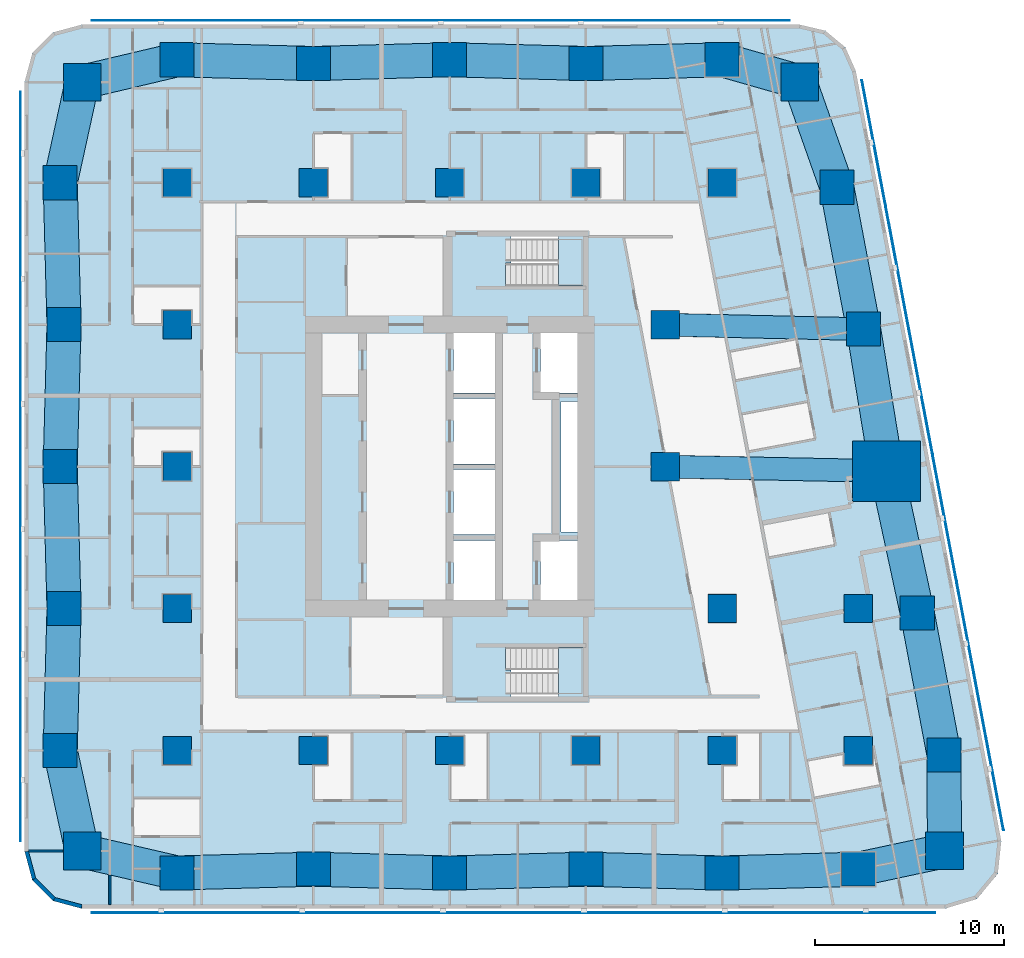
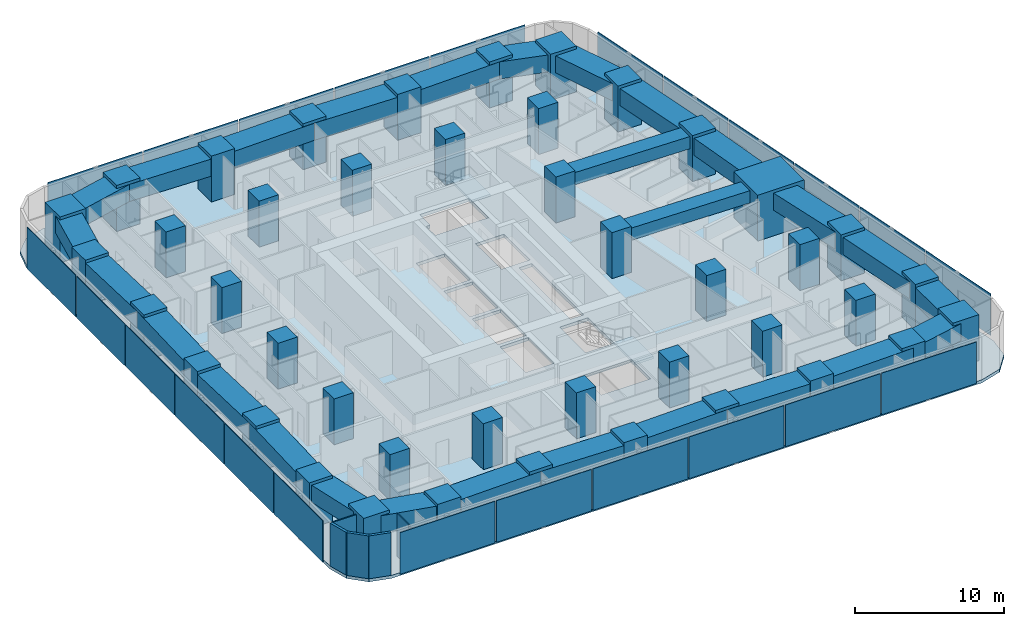
# One storey, part 1 of 15: 43 columns, 27 beams, 23 plates, 5 walls, 3 slabs, 2 elements without a shape of their own.
"""IFC4 building model written with IfcOpenShell, lengths in metres."""

from ifc_helpers import new_model, si_unit, direction, frame, frame_2d, origin, origin_2d, place, context, subcontext, project, spatial, polyline, rectangle, outline, extrude, material, layer, layer_set, material_profile, profile_set, type_object, element, aggregate, save


model = new_model("IFC4")

# Units and contexts
model_context = context("Model", 3, precision=1e-05, world=origin(), true_north=direction((0.0, 1.0)))
body_context = subcontext(model_context, "Body", "Model", "MODEL_VIEW")
ifc_project = project(units=[si_unit("LENGTHUNIT", "METRE"), si_unit("AREAUNIT", "SQUARE_METRE"), si_unit("VOLUMEUNIT", "CUBIC_METRE"), si_unit("PLANEANGLEUNIT", "RADIAN"), si_unit("MASSUNIT", "GRAM", prefix="KILO")], contexts=[model_context])

# Site, building, storey
site_placement = place(None, origin())
site = spatial("IfcSite", under=ifc_project, at=site_placement, CompositionType="ELEMENT")
building_placement = place(site_placement, origin())
building = spatial("IfcBuilding", under=site, at=building_placement, Name="Sheger Commons Tower", CompositionType="ELEMENT")
storey_placement = place(building_placement, frame((0.0, 0.0, 162.050048828125)))
storey = spatial("IfcBuildingStorey", under=building, at=storey_placement, Name="L41", CompositionType="ELEMENT", Elevation=162.050048828125)

# Columns
ifc_material_1 = material(Name="Concrete C50/60", Category="concrete")
ifc_material_profile_1 = material_profile(ifc_material_1, rectangle(XDim=3.60009765625, YDim=3.199951171875, at=origin_2d()), Name="RC 3600x3200")
ifc_profile_set_1 = profile_set([ifc_material_profile_1], Name="Concrete C50/60")
column_type_1 = type_object("IfcColumnType", Name="COLUMN PIER RC 3600x3200", PredefinedType="COLUMN", material=ifc_profile_set_1)
column_placement = place(storey_placement, frame((44.697021484375, 22.262939453125, 0.0), z_axis=(0.0, 0.0, 1.0), x_axis=(1.0, 0.0, 0.0)))
element("IfcColumn", 1, at=column_placement, inside=storey, type_object=column_type_1, Name="Pier 7/D+E/D L41", PredefinedType="COLUMN", context=body_context, shape_type="SweptSolid", body=[
    extrude(rectangle(XDim=3.60009765625, YDim=3.199951171875, at=origin_2d()), origin(), (0.0, 0.0, 1.0), 3.75),
])
ifc_material_2 = material(Name="Concrete C50/60", Category="concrete")
ifc_material_profile_2 = material_profile(ifc_material_2, rectangle(XDim=1.5, YDim=1.5, at=origin_2d()), Name="RC 1500x1500")
ifc_profile_set_2 = profile_set([ifc_material_profile_2], Name="Concrete C50/60")
column_type_2 = type_object("IfcColumnType", Name="COLUMN RC 1500x1500", PredefinedType="COLUMN", material=ifc_profile_set_2)
for number, where, z_axis, x_axis, name in (
    (2, (7.199951171875, 7.5, 0.0), (0.0, 0.0, 1.0), (1.0, 0.0, 0.0), "Column 2/B L41"),
    (3, (14.39990234375, 7.5, 0.0), (0.0, 0.0, 1.0), (1.0, 0.0, 0.0), "Column 3/B L41"),
    (4, (21.60009765625, 7.5, 0.0), (0.0, 0.0, 1.0), (1.0, 0.0, 0.0), "Column 4/B L41"),
    (5, (28.800048828125, 7.5, 0.0), (0.0, 0.0, 1.0), (1.0, 0.0, 0.0), "Column 5/B L41"),
    (6, (36.0, 7.5, 0.0), (0.0, 0.0, 1.0), (1.0, 0.0, 0.0), "Column 6/B L41"),
    (7, (43.199951171875, 7.5, 0.0), (0.0, 0.0, 1.0), (1.0, 0.0, 0.0), "Column 7/B L41"),
    (8, (7.199951171875, 15.0, 0.0), (0.0, 0.0, 1.0), (1.0, 0.0, 0.0), "Column 2/C L41"),
    (9, (36.0, 15.0, 0.0), (0.0, 0.0, 1.0), (1.0, 0.0, 0.0), "Column 6/C L41"),
    (10, (43.199951171875, 15.0, 0.0), (0.0, 0.0, 1.0), (1.0, 0.0, 0.0), "Column 7/C L41"),
    (11, (7.199951171875, 22.5, 0.0), (0.0, 0.0, 1.0), (1.0, 0.0, 0.0), "Column 2/D L41"),
    (12, (33.0, 22.5, 0.0), (0.0, 0.0, 1.0), (1.0, 0.0, 0.0), "Column 6-3000/D L41"),
    (13, (7.199951171875, 30.0, 0.0), (0.0, 0.0, 1.0), (1.0, 0.0, 0.0), "Column 2/E L41"),
    (14, (33.0, 30.0, 0.0), (0.0, 0.0, 1.0), (1.0, 0.0, 0.0), "Column 6-3000/E L41"),
    (15, (7.199951171875, 37.5, 0.0), (0.0, 0.0, 1.0), (1.0, 0.0, 0.0), "Column 2/F L41"),
    (16, (14.39990234375, 37.5, 0.0), (0.0, 0.0, 1.0), (1.0, 0.0, 0.0), "Column 3/F L41"),
    (17, (21.60009765625, 37.5, 0.0), (0.0, 0.0, 1.0), (1.0, 0.0, 0.0), "Column 4/F L41"),
    (18, (28.800048828125, 37.5, 0.0), (0.0, 0.0, 1.0), (1.0, 0.0, 0.0), "Column 5/F L41"),
    (19, (36.0, 37.5, 0.0), (0.0, 0.0, 1.0), (1.0, 0.0, 0.0), "Column 6/F L41"),
):
    element("IfcColumn", number, at=place(storey_placement, frame(where, z_axis=z_axis, x_axis=x_axis)), inside=storey, type_object=column_type_2, Name=name, PredefinedType="COLUMN", context=body_context, shape_type="SweptSolid", body=[
        extrude(rectangle(XDim=1.5, YDim=1.5, at=origin_2d()), origin(), (0.0, 0.0, 1.0), 3.75),
    ])
ifc_material_3 = material(Name="Concrete C50/60", Category="concrete")
ifc_material_profile_3 = material_profile(ifc_material_3, rectangle(XDim=1.800048828125, YDim=1.800048828125, at=origin_2d()), Name="RC 1800x1800")
ifc_profile_set_3 = profile_set([ifc_material_profile_3], Name="Concrete C50/60")
column_type_3 = type_object("IfcColumnType", Name="COLUMN RC 1800x1800", PredefinedType="COLUMN", material=ifc_profile_set_3)
for number, where, z_axis, x_axis, name in (
    (20, (7.199951171875, 1.02490234375, 0.0), (0.0, 0.0, 1.0), (1.0, 0.0, 0.0), "Column 2/A L41"),
    (21, (14.39990234375, 1.22509765625, 0.0), (0.0, 0.0, 1.0), (1.0, 0.0, 0.0), "Column 3/A L41"),
    (22, (21.60009765625, 1.02490234375, 0.0), (0.0, 0.0, 1.0), (1.0, 0.0, 0.0), "Column 4/A L41"),
    (23, (28.800048828125, 1.22509765625, 0.0), (0.0, 0.0, 1.0), (1.0, 0.0, 0.0), "Column 5/A L41"),
    (24, (36.0, 1.02490234375, 0.0), (0.0, 0.0, 1.0), (1.0, 0.0, 0.0), "Column 6/A L41"),
    (25, (43.199951171875, 1.22509765625, 0.0), (0.0, 0.0, 1.0), (1.0, 0.0, 0.0), "Column 7/A L41"),
    (26, (1.02490234375, 7.5, 0.0), (0.0, 0.0, 1.0), (1.0, 0.0, 0.0), "Column 1/B L41"),
    (27, (47.72998046875, 7.262939453125, 0.0), (0.0, 0.0, 1.0), (1.0, 0.0, 0.0), "Column E/B L41"),
    (28, (1.22509765625, 15.0, 0.0), (0.0, 0.0, 1.0), (1.0, 0.0, 0.0), "Column 1/C L41"),
    (29, (46.31396484375, 14.762939453125, 0.0), (0.0, 0.0, 1.0), (1.0, 0.0, 0.0), "Column E/C L41"),
    (30, (1.02490234375, 22.5, 0.0), (0.0, 0.0, 1.0), (1.0, 0.0, 0.0), "Column 1/D L41"),
    (31, (1.22509765625, 30.0, 0.0), (0.0, 0.0, 1.0), (1.0, 0.0, 0.0), "Column 1/E L41"),
    (32, (43.47998046875, 29.762939453125, 0.0), (0.0, 0.0, 1.0), (1.0, 0.0, 0.0), "Column E/E L41"),
    (33, (1.02490234375, 37.5, 0.0), (0.0, 0.0, 1.0), (1.0, 0.0, 0.0), "Column 1/F L41"),
    (34, (42.06396484375, 37.262939453125, 0.0), (0.0, 0.0, 1.0), (1.0, 0.0, 0.0), "Column E/F L41"),
    (35, (7.199951171875, 44.0, 0.0), (0.0, 0.0, 1.0), (1.0, 0.0, 0.0), "Column 2/G L41"),
    (36, (14.39990234375, 43.800048828125, 0.0), (0.0, 0.0, 1.0), (1.0, 0.0, 0.0), "Column 3/G L41"),
    (37, (21.60009765625, 44.0, 0.0), (0.0, 0.0, 1.0), (1.0, 0.0, 0.0), "Column 4/G L41"),
    (38, (28.800048828125, 43.800048828125, 0.0), (0.0, 0.0, 1.0), (1.0, 0.0, 0.0), "Column 5/G L41"),
    (39, (36.0, 44.0, 0.0), (0.0, 0.0, 1.0), (1.0, 0.0, 0.0), "Column 6/G L41"),
):
    element("IfcColumn", number, at=place(storey_placement, frame(where, z_axis=z_axis, x_axis=x_axis)), inside=storey, type_object=column_type_3, Name=name, PredefinedType="COLUMN", context=body_context, shape_type="SweptSolid", body=[
        extrude(rectangle(XDim=1.800048828125, YDim=1.800048828125, at=origin_2d()), origin(), (0.0, 0.0, 1.0), 3.75),
    ])
ifc_material_4 = material(Name="Concrete C50/60", Category="concrete")
ifc_material_profile_4 = material_profile(ifc_material_4, rectangle(XDim=2.0, YDim=2.0, at=origin_2d()), Name="RC 2000x2000")
ifc_profile_set_4 = profile_set([ifc_material_profile_4], Name="Concrete C50/60")
column_type_4 = type_object("IfcColumnType", Name="COLUMN RC 2000x2000", PredefinedType="COLUMN", material=ifc_profile_set_4)
for number, where, z_axis, x_axis, name in (
    (40, (2.18603515625, 2.18603515625, 0.0), (0.0, 0.0, 1.0), (1.0, 0.0, 0.0), "Column 0.630,0.630 L41"),
    (41, (47.748046875, 2.197021484375, 0.0), (0.0, 0.0, 1.0), (1.0, 0.0, 0.0), "Column 49.461,0.778 L41"),
    (42, (2.18603515625, 42.81396484375, 0.0), (0.0, 0.0, 1.0), (1.0, 0.0, 0.0), "Column 0.630,44.370 L41"),
    (43, (40.10205078125, 42.830078125, 0.0), (0.0, 0.0, 1.0), (1.0, 0.0, 0.0), "Column 41.490,44.505 L41"),
):
    element("IfcColumn", number, at=place(storey_placement, frame(where, z_axis=z_axis, x_axis=x_axis)), inside=storey, type_object=column_type_4, Name=name, PredefinedType="COLUMN", context=body_context, shape_type="SweptSolid", body=[
        extrude(rectangle(XDim=2.0, YDim=2.0, at=origin_2d()), origin(), (0.0, 0.0, 1.0), 3.75),
    ])

# Beams
ifc_material_5 = material(Name="Concrete C50/60", Category="concrete")
ifc_material_profile_5 = material_profile(ifc_material_5, rectangle(XDim=1.199951171875, YDim=1.0, at=origin_2d()), Name="RC 1200x1000")
ifc_profile_set_5 = profile_set([ifc_material_profile_5], Name="Concrete C50/60")
beam_type_1 = type_object("IfcBeamType", Name="BEAM RC 1200x1000", PredefinedType="BEAM", material=ifc_profile_set_5)
beam_1_placement = place(storey_placement, frame((33.0, 22.5, 3.0), z_axis=(0.999794692776, -0.02026258368, 0.0), x_axis=(0.02026258368, 0.999794692776, 0.0)))
element("IfcBeam", 44, at=beam_1_placement, inside=storey, type_object=beam_type_1, Name="Beam 6-3000/D-7/D under L42", PredefinedType="BEAM", context=body_context, shape_type="SweptSolid", body=[
    extrude(rectangle(XDim=1.199951171875, YDim=1.0, at=origin_2d()), origin(), (0.0, 0.0, 1.0), 11.699462890625),
])
beam_2_placement = place(storey_placement, frame((33.0, 30.0, 3.0), z_axis=(0.999744258625, -0.022614538395, 0.0), x_axis=(0.022614538395, 0.999744258625, 0.0)))
element("IfcBeam", 45, at=beam_2_placement, inside=storey, type_object=beam_type_1, Name="Beam 6-3000/E-E/E under L42", PredefinedType="BEAM", context=body_context, shape_type="SweptSolid", body=[
    extrude(rectangle(XDim=1.199951171875, YDim=1.0, at=origin_2d()), origin(), (0.0, 0.0, 1.0), 10.482666015625),
])
ifc_material_6 = material(Name="Concrete C50/60", Category="concrete")
ifc_material_profile_6 = material_profile(ifc_material_6, rectangle(XDim=1.800048828125, YDim=1.39990234375, at=origin_2d()), Name="RC 1800x1400")
ifc_profile_set_6 = profile_set([ifc_material_profile_6], Name="Concrete C50/60")
beam_type_2 = type_object("IfcBeamType", Name="SPANDREL RC 1800x1400", PredefinedType="SPANDREL", material=ifc_profile_set_6)
beam_3_placement = place(storey_placement, frame((2.18603515625, 2.18603515625, 2.800048828125), z_axis=(0.974217413499, -0.225611239159, 0.0), x_axis=(0.225611239159, 0.974217413499, 0.0)))
element("IfcBeam", 46, at=beam_3_placement, inside=storey, type_object=beam_type_2, Name="Beam 0.630,0.630-2/A under L42", PredefinedType="SPANDREL", context=body_context, shape_type="SweptSolid", body=[
    extrude(rectangle(XDim=1.800048828125, YDim=1.39990234375, at=origin_2d()), origin(), (0.0, 0.0, 1.0), 5.146728515625),
])
beam_4_placement = place(storey_placement, frame((7.199951171875, 1.02490234375, 2.800048828125), z_axis=(0.9996136624, 0.027794350926, 0.0), x_axis=(-0.027794350926, 0.9996136624, 0.0)))
element("IfcBeam", 47, at=beam_4_placement, inside=storey, type_object=beam_type_2, Name="Beam 2/A-3/A under L42", PredefinedType="SPANDREL", context=body_context, shape_type="SweptSolid", body=[
    extrude(rectangle(XDim=1.800048828125, YDim=1.39990234375, at=origin_2d()), origin(), (0.0, 0.0, 1.0), 7.20263671875),
])
beam_5_placement = place(storey_placement, frame((14.39990234375, 1.22509765625, 2.800048828125), z_axis=(0.999613688584, -0.027793409217, 0.0), x_axis=(0.027793409217, 0.999613688584, 0.0)))
element("IfcBeam", 48, at=beam_5_placement, inside=storey, type_object=beam_type_2, Name="Beam 3/A-4/A under L42", PredefinedType="SPANDREL", context=body_context, shape_type="SweptSolid", body=[
    extrude(rectangle(XDim=1.800048828125, YDim=1.39990234375, at=origin_2d()), origin(), (0.0, 0.0, 1.0), 7.202880859375),
])
for number, where, z_axis, x_axis, name in (
    (49, (21.60009765625, 1.02490234375, 2.800048828125), (0.9996136624, 0.027794350926, 0.0), (-0.027794350926, 0.9996136624, 0.0), "Beam 4/A-5/A under L42"),
    (50, (28.800048828125, 1.22509765625, 2.800048828125), (0.9996136624, -0.027794350926, 0.0), (0.027794350926, 0.9996136624, 0.0), "Beam 5/A-6/A under L42"),
    (51, (36.0, 1.02490234375, 2.800048828125), (0.9996136624, 0.027794350926, 0.0), (-0.027794350926, 0.9996136624, 0.0), "Beam 6/A-7/A under L42"),
):
    element("IfcBeam", number, at=place(storey_placement, frame(where, z_axis=z_axis, x_axis=x_axis)), inside=storey, type_object=beam_type_2, Name=name, PredefinedType="SPANDREL", context=body_context, shape_type="SweptSolid", body=[
        extrude(rectangle(XDim=1.800048828125, YDim=1.39990234375, at=origin_2d()), origin(), (0.0, 0.0, 1.0), 7.20263671875),
    ])
beam_6_placement = place(storey_placement, frame((43.199951171875, 1.22509765625, 2.800048828125), z_axis=(0.977919796671, 0.208980552394, 0.0), x_axis=(-0.208980552394, 0.977919796671, 0.0)))
element("IfcBeam", 52, at=beam_6_placement, inside=storey, type_object=beam_type_2, Name="Beam 7/A-49.461,0.778 under L42", PredefinedType="SPANDREL", context=body_context, shape_type="SweptSolid", body=[
    extrude(rectangle(XDim=1.800048828125, YDim=1.39990234375, at=origin_2d()), origin(), (0.0, 0.0, 1.0), 4.65087890625),
])
beam_7_placement = place(storey_placement, frame((47.748046875, 2.197021484375, 2.800048828125), z_axis=(-0.003566242382, 0.999993640937, 0.0), x_axis=(-0.999993640937, -0.003566242382, 0.0)))
element("IfcBeam", 53, at=beam_7_placement, inside=storey, type_object=beam_type_2, Name="Beam 49.461,0.778-E/B under L42", PredefinedType="SPANDREL", context=body_context, shape_type="SweptSolid", body=[
    extrude(rectangle(XDim=1.800048828125, YDim=1.39990234375, at=origin_2d()), origin(), (0.0, 0.0, 1.0), 5.06591796875),
])
beam_8_placement = place(storey_placement, frame((47.72998046875, 7.262939453125, 2.800048828125), z_axis=(-0.18552441405, 0.982639655108, 0.0), x_axis=(-0.982639655108, -0.18552441405, 0.0)))
element("IfcBeam", 54, at=beam_8_placement, inside=storey, type_object=beam_type_2, Name="Beam E/B-E/C under L42", PredefinedType="SPANDREL", context=body_context, shape_type="SweptSolid", body=[
    extrude(rectangle(XDim=1.800048828125, YDim=1.39990234375, at=origin_2d()), origin(), (0.0, 0.0, 1.0), 7.632568359375),
])
beam_9_placement = place(storey_placement, frame((46.31396484375, 14.762939453125, 2.800048828125), z_axis=(-0.210750229323, 0.977539943348, 0.0), x_axis=(-0.977539943348, -0.210750229323, 0.0)))
element("IfcBeam", 55, at=beam_9_placement, inside=storey, type_object=beam_type_2, Name="Beam E/C-E/D under L42", PredefinedType="SPANDREL", context=body_context, shape_type="SweptSolid", body=[
    extrude(rectangle(XDim=1.800048828125, YDim=1.39990234375, at=origin_2d()), origin(), (0.0, 0.0, 1.0), 7.67236328125),
])
beam_10_placement = place(storey_placement, frame((44.697021484375, 22.262939453125, 2.800048828125), z_axis=(-0.160176929512, 0.987088319884, 0.0), x_axis=(-0.987088319884, -0.160176929512, 0.0)))
element("IfcBeam", 56, at=beam_10_placement, inside=storey, type_object=beam_type_2, Name="Beam E/D-E/E under L42", PredefinedType="SPANDREL", context=body_context, shape_type="SweptSolid", body=[
    extrude(rectangle(XDim=1.800048828125, YDim=1.39990234375, at=origin_2d()), origin(), (0.0, 0.0, 1.0), 7.59814453125),
])
beam_11_placement = place(storey_placement, frame((43.47998046875, 29.762939453125, 2.800048828125), z_axis=(-0.18552441405, 0.982639655108, 0.0), x_axis=(-0.982639655108, -0.18552441405, 0.0)))
element("IfcBeam", 57, at=beam_11_placement, inside=storey, type_object=beam_type_2, Name="Beam E/E-E/F under L42", PredefinedType="SPANDREL", context=body_context, shape_type="SweptSolid", body=[
    extrude(rectangle(XDim=1.800048828125, YDim=1.39990234375, at=origin_2d()), origin(), (0.0, 0.0, 1.0), 7.632568359375),
])
beam_12_placement = place(storey_placement, frame((42.06396484375, 37.262939453125, 2.800048828125), z_axis=(-0.332374403357, 0.943147526102, 0.0), x_axis=(-0.943147526102, -0.332374403357, 0.0)))
element("IfcBeam", 58, at=beam_12_placement, inside=storey, type_object=beam_type_2, Name="Beam E/F-41.490,44.505 under L42", PredefinedType="SPANDREL", context=body_context, shape_type="SweptSolid", body=[
    extrude(rectangle(XDim=1.800048828125, YDim=1.39990234375, at=origin_2d()), origin(), (0.0, 0.0, 1.0), 5.90283203125),
])
beam_13_placement = place(storey_placement, frame((40.10205078125, 42.830078125, 2.800048828125), z_axis=(-0.961653428129, 0.274267541221, 0.0), x_axis=(-0.274267541221, -0.961653428129, 0.0)))
element("IfcBeam", 59, at=beam_13_placement, inside=storey, type_object=beam_type_2, Name="Beam 41.490,44.505-6/G under L42", PredefinedType="SPANDREL", context=body_context, shape_type="SweptSolid", body=[
    extrude(rectangle(XDim=1.800048828125, YDim=1.39990234375, at=origin_2d()), origin(), (0.0, 0.0, 1.0), 4.265625),
])
for number, where, z_axis, x_axis, name in (
    (60, (36.0, 44.0, 2.800048828125), (-0.999614603568, -0.027760481514, 0.0), (0.027760481514, -0.999614603568, 0.0), "Beam 6/G-5/G under L42"),
    (61, (28.800048828125, 43.800048828125, 2.800048828125), (-0.999614603568, 0.027760481514, 0.0), (-0.027760481514, -0.999614603568, 0.0), "Beam 5/G-4/G under L42"),
):
    element("IfcBeam", number, at=place(storey_placement, frame(where, z_axis=z_axis, x_axis=x_axis)), inside=storey, type_object=beam_type_2, Name=name, PredefinedType="SPANDREL", context=body_context, shape_type="SweptSolid", body=[
        extrude(rectangle(XDim=1.800048828125, YDim=1.39990234375, at=origin_2d()), origin(), (0.0, 0.0, 1.0), 7.20263671875),
    ])
beam_14_placement = place(storey_placement, frame((21.60009765625, 44.0, 2.800048828125), z_axis=(-0.999614629688, -0.027759540951, 0.0), x_axis=(0.027759540951, -0.999614629688, 0.0)))
element("IfcBeam", 62, at=beam_14_placement, inside=storey, type_object=beam_type_2, Name="Beam 4/G-3/G under L42", PredefinedType="SPANDREL", context=body_context, shape_type="SweptSolid", body=[
    extrude(rectangle(XDim=1.800048828125, YDim=1.39990234375, at=origin_2d()), origin(), (0.0, 0.0, 1.0), 7.202880859375),
])
beam_15_placement = place(storey_placement, frame((14.39990234375, 43.800048828125, 2.800048828125), z_axis=(-0.999614603568, 0.027760481514, 0.0), x_axis=(-0.027760481514, -0.999614603568, 0.0)))
element("IfcBeam", 63, at=beam_15_placement, inside=storey, type_object=beam_type_2, Name="Beam 3/G-2/G under L42", PredefinedType="SPANDREL", context=body_context, shape_type="SweptSolid", body=[
    extrude(rectangle(XDim=1.800048828125, YDim=1.39990234375, at=origin_2d()), origin(), (0.0, 0.0, 1.0), 7.20263671875),
])
beam_16_placement = place(storey_placement, frame((7.199951171875, 44.0, 2.800048828125), z_axis=(-0.97314428949, -0.230195985701, 0.0), x_axis=(0.230195985701, -0.97314428949, 0.0)))
element("IfcBeam", 64, at=beam_16_placement, inside=storey, type_object=beam_type_2, Name="Beam 2/G-0.630,44.370 under L42", PredefinedType="SPANDREL", context=body_context, shape_type="SweptSolid", body=[
    extrude(rectangle(XDim=1.800048828125, YDim=1.39990234375, at=origin_2d()), origin(), (0.0, 0.0, 1.0), 5.15234375),
])
beam_17_placement = place(storey_placement, frame((2.18603515625, 42.81396484375, 2.800048828125), z_axis=(-0.213469314652, -0.976949769283, 0.0), x_axis=(0.976949769283, -0.213469314652, 0.0)))
element("IfcBeam", 65, at=beam_17_placement, inside=storey, type_object=beam_type_2, Name="Beam 0.630,44.370-1/F under L42", PredefinedType="SPANDREL", context=body_context, shape_type="SweptSolid", body=[
    extrude(rectangle(XDim=1.800048828125, YDim=1.39990234375, at=origin_2d()), origin(), (0.0, 0.0, 1.0), 5.439453125),
])
for number, where, z_axis, x_axis, name in (
    (66, (1.02490234375, 37.5, 2.800048828125), (0.026683204125, -0.999643939919, 0.0), (0.999643939919, 0.026683204125, 0.0), "Beam 1/F-1/E under L42"),
    (67, (1.22509765625, 30.0, 2.800048828125), (-0.026683204125, -0.999643939919, 0.0), (0.999643939919, -0.026683204125, 0.0), "Beam 1/E-1/D under L42"),
    (68, (1.02490234375, 22.5, 2.800048828125), (0.026683204125, -0.999643939919, 0.0), (0.999643939919, 0.026683204125, 0.0), "Beam 1/D-1/C under L42"),
    (69, (1.22509765625, 15.0, 2.800048828125), (-0.026683204125, -0.999643939919, 0.0), (0.999643939919, -0.026683204125, 0.0), "Beam 1/C-1/B under L42"),
):
    element("IfcBeam", number, at=place(storey_placement, frame(where, z_axis=z_axis, x_axis=x_axis)), inside=storey, type_object=beam_type_2, Name=name, PredefinedType="SPANDREL", context=body_context, shape_type="SweptSolid", body=[
        extrude(rectangle(XDim=1.800048828125, YDim=1.39990234375, at=origin_2d()), origin(), (0.0, 0.0, 1.0), 7.502685546875),
    ])
beam_18_placement = place(storey_placement, frame((1.02490234375, 7.5, 2.800048828125), z_axis=(0.213469314652, -0.976949769283, 0.0), x_axis=(0.976949769283, 0.213469314652, 0.0)))
element("IfcBeam", 70, at=beam_18_placement, inside=storey, type_object=beam_type_2, Name="Beam 1/B-0.630,0.630 under L42", PredefinedType="SPANDREL", context=body_context, shape_type="SweptSolid", body=[
    extrude(rectangle(XDim=1.800048828125, YDim=1.39990234375, at=origin_2d()), origin(), (0.0, 0.0, 1.0), 5.439453125),
])

# Slab
ifc_material_7 = material(Name="Concrete C35/45", Category="concrete")
ifc_layer_1 = layer(ifc_material_7, 0.25)
ifc_layer_set_1 = layer_set([ifc_layer_1], Name="SLAB FLOOR 250")
slab_type_1 = type_object("IfcSlabType", Name="SLAB FLOOR 250", PredefinedType="FLOOR", material=ifc_layer_set_1)
slab_1_placement = place(storey_placement, frame((0.0, 0.0, -0.25)))
element("IfcSlab", 71, at=slab_1_placement, inside=storey, type_object=slab_type_1, Name="L41 floor slab", PredefinedType="FLOOR", context=body_context, shape_type="SweptSolid", body=[
    extrude(outline(polyline([(-0.85009765625, 2.14990234375), (-0.447998046875, 0.64990234375), (0.64990234375, -0.447998046875), (2.14990234375, -0.85009765625), (47.805908203125, -0.85009765625), (49.465087890625, -0.35009765625), (50.570068359375, 0.98388671875), (50.75390625, 2.70703125), (43.06591796875, 43.406982421875), (42.509033203125, 44.660888671875), (41.452880859375, 45.535888671875), (40.117919921875, 45.85009765625), (2.14990234375, 45.85009765625), (0.64990234375, 45.447998046875), (-0.447998046875, 44.35009765625), (-0.85009765625, 42.85009765625), (-0.85009765625, 2.14990234375)]), holes=[polyline([(24.85009765625, 10.35009765625), (28.64990234375, 10.35009765625), (28.64990234375, 12.949951171875), (24.551025390625, 12.949951171875), (24.551025390625, 11.75), (24.85009765625, 11.75), (24.85009765625, 10.35009765625)]), polyline([(24.551025390625, 32.050048828125), (28.64990234375, 32.050048828125), (28.64990234375, 34.64990234375), (24.85009765625, 34.64990234375), (24.85009765625, 33.25), (24.551025390625, 33.25), (24.551025390625, 32.050048828125)]), polyline([(26.39990234375, 15.14990234375), (28.60009765625, 15.14990234375), (28.60009765625, 18.60009765625), (26.39990234375, 18.60009765625), (26.39990234375, 15.14990234375)]), polyline([(26.39990234375, 26.39990234375), (28.60009765625, 26.39990234375), (28.60009765625, 29.85009765625), (26.39990234375, 29.85009765625), (26.39990234375, 26.39990234375)]), polyline([(21.800048828125, 15.14990234375), (24.0, 15.14990234375), (24.0, 18.60009765625), (21.800048828125, 18.60009765625), (21.800048828125, 15.14990234375)]), polyline([(21.800048828125, 18.89990234375), (24.0, 18.89990234375), (24.0, 22.35009765625), (21.800048828125, 22.35009765625), (21.800048828125, 18.89990234375)]), polyline([(21.800048828125, 22.64990234375), (24.0, 22.64990234375), (24.0, 26.10009765625), (21.800048828125, 26.10009765625), (21.800048828125, 22.64990234375)]), polyline([(21.800048828125, 26.39990234375), (24.0, 26.39990234375), (24.0, 29.85009765625), (21.800048828125, 29.85009765625), (21.800048828125, 26.39990234375)]), polyline([(27.5, 19.050048828125), (28.5, 19.050048828125), (28.5, 25.949951171875), (27.5, 25.949951171875), (27.5, 19.050048828125)])]), origin(), (0.0, 0.0, 1.0), 0.25),
])

# Plates
ifc_material_8 = material(Name="Perforated black anodised aluminium screen", Category="aluminium")
ifc_layer_2 = layer(ifc_material_8, 0.050048828125)
ifc_layer_set_2 = layer_set([ifc_layer_2], Name="SOLAR SCREEN SCREEN-1")
plate_type = type_object("IfcPlateType", Name="SOLAR SCREEN SCREEN-1", PredefinedType="USERDEFINED", material=ifc_layer_set_2)
for number, where, z_axis, x_axis, name in (
    (72, (6.37109375, -1.074951171875, 0.050048828125), (0.0, 0.0, 1.0), (1.0, 0.0, 0.0), "Perforated solar screen panel"),
    (73, (13.81396484375, -1.074951171875, 0.050048828125), (0.0, 0.0, 1.0), (1.0, 0.0, 0.0), "Perforated solar screen panel"),
    (74, (21.257080078125, -1.074951171875, 0.050048828125), (0.0, 0.0, 1.0), (1.0, 0.0, 0.0), "Perforated solar screen panel"),
    (75, (28.698974609375, -1.074951171875, 0.050048828125), (0.0, 0.0, 1.0), (1.0, 0.0, 0.0), "Perforated solar screen panel"),
    (76, (36.14208984375, -1.074951171875, 0.050048828125), (0.0, 0.0, 1.0), (1.0, 0.0, 0.0), "Perforated solar screen panel"),
    (77, (43.5849609375, -1.074951171875, 0.050048828125), (0.0, 0.0, 1.0), (1.0, 0.0, 0.0), "Perforated solar screen panel"),
):
    element("IfcPlate", number, at=place(storey_placement, frame(where, z_axis=z_axis, x_axis=x_axis)), inside=storey, type_object=plate_type, Name=name, ObjectType="SCREEN", PredefinedType="USERDEFINED", context=body_context, shape_type="SweptSolid", body=[
        extrude(rectangle(XDim=7.343017578125, YDim=0.050048828125, at=origin_2d()), origin(), (0.0, 0.0, 1.0), 3.39990234375),
    ])
for number, where, z_axis, x_axis, name in (
    (78, (50.257080078125, 6.550048828125, 0.050048828125), (0.0, 0.0, 1.0), (-0.185615165645, 0.982622516678, 0.0), "Perforated solar screen panel"),
    (79, (49.007080078125, 13.1689453125, 0.050048828125), (0.0, 0.0, 1.0), (-0.185615165645, 0.982622516678, 0.0), "Perforated solar screen panel"),
    (80, (47.756103515625, 19.7890625, 0.050048828125), (0.0, 0.0, 1.0), (-0.185615165645, 0.982622516678, 0.0), "Perforated solar screen panel"),
    (81, (46.506103515625, 26.408935546875, 0.050048828125), (0.0, 0.0, 1.0), (-0.185615165645, 0.982622516678, 0.0), "Perforated solar screen panel"),
    (82, (45.2548828125, 33.028076171875, 0.050048828125), (0.0, 0.0, 1.0), (-0.185615165645, 0.982622516678, 0.0), "Perforated solar screen panel"),
    (83, (44.0048828125, 39.64794921875, 0.050048828125), (0.0, 0.0, 1.0), (-0.185615165645, 0.982622516678, 0.0), "Perforated solar screen panel"),
):
    element("IfcPlate", number, at=place(storey_placement, frame(where, z_axis=z_axis, x_axis=x_axis)), inside=storey, type_object=plate_type, Name=name, ObjectType="SCREEN", PredefinedType="USERDEFINED", context=body_context, shape_type="SweptSolid", body=[
        extrude(rectangle(XDim=6.636962890625, YDim=0.050048828125, at=origin_2d()), origin(), (0.0, 0.0, 1.0), 3.39990234375),
    ])
for number, where, z_axis, x_axis, name in (
    (84, (35.9208984375, 46.074951171875, 0.050048828125), (0.0, 0.0, 1.0), (-1.0, 0.0, 0.0), "Perforated solar screen panel"),
    (85, (28.528076171875, 46.074951171875, 0.050048828125), (0.0, 0.0, 1.0), (-1.0, 0.0, 0.0), "Perforated solar screen panel"),
    (86, (21.134033203125, 46.074951171875, 0.050048828125), (0.0, 0.0, 1.0), (-1.0, 0.0, 0.0), "Perforated solar screen panel"),
    (87, (13.739990234375, 46.074951171875, 0.050048828125), (0.0, 0.0, 1.0), (-1.0, 0.0, 0.0), "Perforated solar screen panel"),
    (88, (6.346923828125, 46.074951171875, 0.050048828125), (0.0, 0.0, 1.0), (-1.0, 0.0, 0.0), "Perforated solar screen panel"),
):
    element("IfcPlate", number, at=place(storey_placement, frame(where, z_axis=z_axis, x_axis=x_axis)), inside=storey, type_object=plate_type, Name=name, ObjectType="SCREEN", PredefinedType="USERDEFINED", context=body_context, shape_type="SweptSolid", body=[
        extrude(rectangle(XDim=7.2939453125, YDim=0.050048828125, at=origin_2d()), origin(), (0.0, 0.0, 1.0), 3.39990234375),
    ])
for number, where, z_axis, x_axis, name in (
    (89, (-1.074951171875, 39.0419921875, 0.050048828125), (0.0, 0.0, 1.0), (0.0, -1.0, 0.0), "Perforated solar screen panel"),
    (90, (-1.074951171875, 32.425048828125, 0.050048828125), (0.0, 0.0, 1.0), (0.0, -1.0, 0.0), "Perforated solar screen panel"),
    (91, (-1.074951171875, 25.80810546875, 0.050048828125), (0.0, 0.0, 1.0), (0.0, -1.0, 0.0), "Perforated solar screen panel"),
    (92, (-1.074951171875, 19.19189453125, 0.050048828125), (0.0, 0.0, 1.0), (0.0, -1.0, 0.0), "Perforated solar screen panel"),
    (93, (-1.074951171875, 12.574951171875, 0.050048828125), (0.0, 0.0, 1.0), (0.0, -1.0, 0.0), "Perforated solar screen panel"),
    (94, (-1.074951171875, 5.9580078125, 0.050048828125), (0.0, 0.0, 1.0), (0.0, -1.0, 0.0), "Perforated solar screen panel"),
):
    element("IfcPlate", number, at=place(storey_placement, frame(where, z_axis=z_axis, x_axis=x_axis)), inside=storey, type_object=plate_type, Name=name, ObjectType="SCREEN", PredefinedType="USERDEFINED", context=body_context, shape_type="SweptSolid", body=[
        extrude(rectangle(XDim=6.51708984375, YDim=0.050048828125, at=origin_2d()), origin(), (0.0, 0.0, 1.0), 3.39990234375),
    ])

# Stair, slab
ifc_material_9 = material(Name="Concrete C35/45", Category="concrete")
stair_type = type_object("IfcStairType", Name="HALF-TURN STAIR 1200 RISE 3750", PredefinedType="HALF_TURN_STAIR", material=ifc_material_9)
stair_1_placement = place(storey_placement, origin())
stair_1 = element("IfcStair", 95, at=stair_1_placement, inside=storey, type_object=stair_type, Name="Stair S1 L41", PredefinedType="HALF_TURN_STAIR")
ifc_material_10 = material(Name="Concrete C35/45", Category="concrete")
ifc_layer_3 = layer(ifc_material_10, 0.199951171875)
ifc_layer_set_3 = layer_set([ifc_layer_3], Name="STAIR LANDING 200")
slab_type_2 = type_object("IfcSlabType", Name="STAIR LANDING 200", PredefinedType="LANDING", material=ifc_layer_set_3)
slab_2_placement = place(storey_placement, frame((0.0, 0.0, 1.675048828125)))
slab_2 = element("IfcSlab", 96, at=slab_2_placement, type_object=slab_type_2, Name="S1 landing 1", PredefinedType="LANDING", context=body_context, shape_type="SweptSolid", body=[
    extrude(outline(polyline([(27.35009765625, 10.199951171875), (28.800048828125, 10.199951171875), (28.800048828125, 12.949951171875), (27.35009765625, 12.949951171875), (27.35009765625, 10.199951171875)])), origin(), (0.0, 0.0, 1.0), 0.199951171875),
])
aggregate(stair_1, [slab_2])

stair_2_placement = place(storey_placement, origin())
stair_2 = element("IfcStair", 97, at=stair_2_placement, inside=storey, type_object=stair_type, Name="Stair S2 L41", PredefinedType="HALF_TURN_STAIR")
slab_3_placement = place(storey_placement, frame((0.0, 0.0, 1.675048828125)))
slab_3 = element("IfcSlab", 98, at=slab_3_placement, type_object=slab_type_2, Name="S2 landing 1", PredefinedType="LANDING", context=body_context, shape_type="SweptSolid", body=[
    extrude(outline(polyline([(27.35009765625, 32.050048828125), (28.800048828125, 32.050048828125), (28.800048828125, 34.800048828125), (27.35009765625, 34.800048828125), (27.35009765625, 32.050048828125)])), origin(), (0.0, 0.0, 1.0), 0.199951171875),
])
aggregate(stair_2, [slab_3])

# Walls
ifc_material_11 = material(Name="Rendered concrete block masonry, dark grey", Category="masonry")
ifc_layer_4 = layer(ifc_material_11, 0.199951171875)
ifc_layer_set_4 = layer_set([ifc_layer_4], Name="FACADE WALL 200")
wall_type_1 = type_object("IfcWallType", Name="FACADE WALL 200", PredefinedType="SOLIDWALL", material=ifc_layer_set_4)
wall_1_placement = place(storey_placement, frame((-0.75, 2.1630859375, 0.0), z_axis=(0.0, 0.0, 1.0), x_axis=(0.259168954497, -0.965832000415, 0.0)))
element("IfcWall", 99, at=wall_1_placement, inside=storey, type_object=wall_type_1, Name="Facade wall L41", PredefinedType="SOLIDWALL", context=body_context, shape_type="SweptSolid", body=[
    extrude(rectangle(XDim=1.512939453125, YDim=0.199951171875, at=frame_2d((0.75634765625, 0.0))), origin(), (0.0, 0.0, 1.0), 3.5),
])
wall_2_placement = place(storey_placement, frame((-0.35791015625, 0.701904296875, 0.0), z_axis=(0.0, 0.0, 1.0), x_axis=(0.707106781187, -0.707106781187, 0.0)))
element("IfcWall", 100, at=wall_2_placement, inside=storey, type_object=wall_type_1, Name="Facade wall L41", PredefinedType="SOLIDWALL", context=body_context, shape_type="SweptSolid", body=[
    extrude(rectangle(XDim=1.498779296875, YDim=0.199951171875, at=frame_2d((0.74951171875, 0.0))), origin(), (0.0, 0.0, 1.0), 3.5),
])
wall_3_placement = place(storey_placement, frame((0.701904296875, -0.35791015625, 0.0), z_axis=(0.0, 0.0, 1.0), x_axis=(0.965832000415, -0.259168954497, 0.0)))
element("IfcWall", 101, at=wall_3_placement, inside=storey, type_object=wall_type_1, Name="Facade wall L41", PredefinedType="SOLIDWALL", context=body_context, shape_type="SweptSolid", body=[
    extrude(rectangle(XDim=1.512939453125, YDim=0.199951171875, at=frame_2d((0.75634765625, 0.0))), origin(), (0.0, 0.0, 1.0), 3.5),
])
ifc_material_12 = material(Name="Gypsum board on steel studs", Category="steel")
ifc_layer_5 = layer(ifc_material_12, 0.10009765625)
ifc_layer_set_5 = layer_set([ifc_layer_5], Name="PARTITION 100")
wall_type_2 = type_object("IfcWallType", Name="PARTITION 100", PredefinedType="PARTITIONING", material=ifc_layer_set_5)
wall_4_placement = place(storey_placement, frame((3.64990234375, -0.64990234375, 0.0), z_axis=(0.0, 0.0, 1.0), x_axis=(0.0, 1.0, 0.0)))
element("IfcWall", 102, at=wall_4_placement, inside=storey, type_object=wall_type_2, Name="Partition L41", PredefinedType="PARTITIONING", context=body_context, shape_type="SweptSolid", body=[
    extrude(rectangle(XDim=1.56201171875, YDim=0.10009765625, at=frame_2d((0.781005859375, 0.0))), origin(), (0.0, 0.0, 1.0), 3.5),
])
wall_5_placement = place(storey_placement, frame((-0.64990234375, 2.18603515625, 0.0), z_axis=(0.0, 0.0, 1.0), x_axis=(1.0, 0.0, 0.0)))
element("IfcWall", 103, at=wall_5_placement, inside=storey, type_object=wall_type_2, Name="Partition L41", PredefinedType="PARTITIONING", context=body_context, shape_type="SweptSolid", body=[
    extrude(rectangle(XDim=1.8349609375, YDim=0.10009765625, at=frame_2d((0.91748046875, 0.0))), origin(), (0.0, 0.0, 1.0), 3.5),
])

save(model, "model.ifc")
